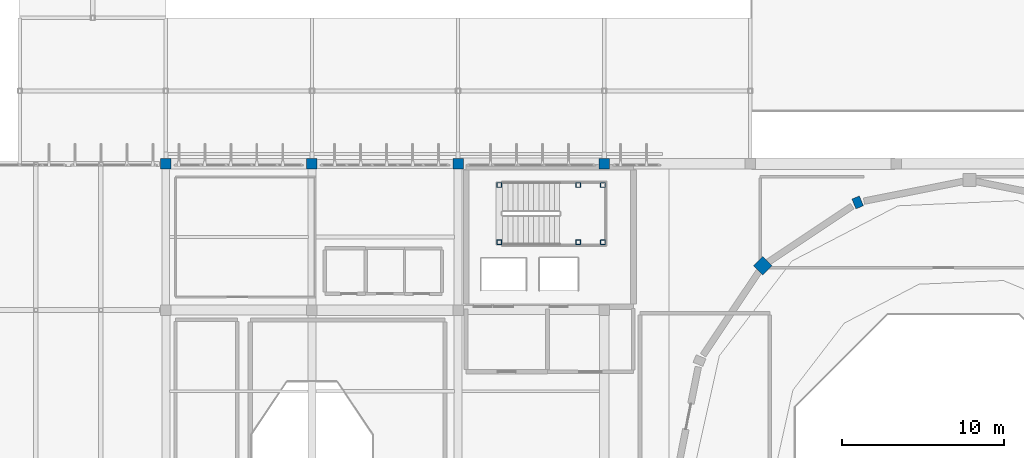
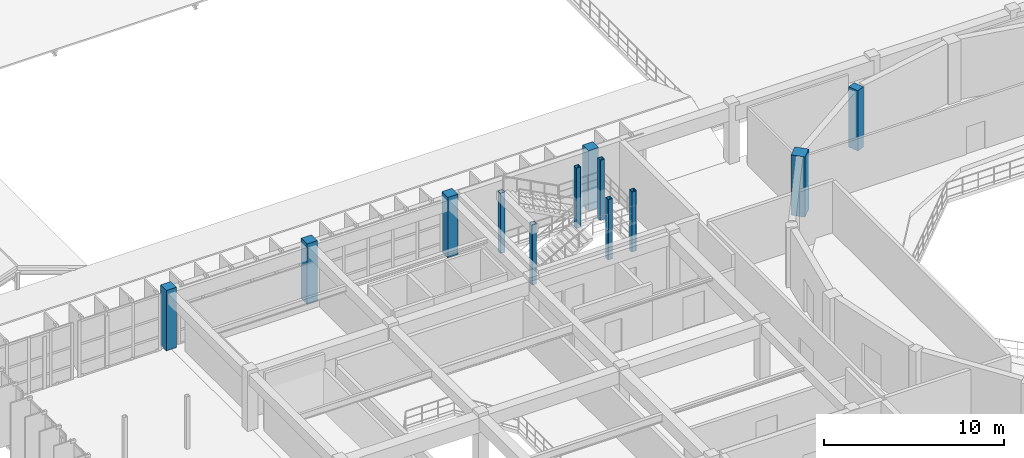
# One storey, part 4 of 80: 12 columns.
"""IFC4 building model written with IfcOpenShell, lengths in metres."""

from ifc_helpers import new_model, si_unit, direction, frame, origin, origin_2d, place, context, subcontext, project, spatial, rectangle, hollow_rectangle, extrude, material, material_profile, profile_set, type_object, element, save


model = new_model("IFC4")

# Units and contexts
model_context = context("Model", 3, precision=1e-05, world=origin(), true_north=direction((0.0, 1.0)))
body_context = subcontext(model_context, "Body", "Model", "MODEL_VIEW")
ifc_project = project(units=[si_unit("LENGTHUNIT", "METRE"), si_unit("AREAUNIT", "SQUARE_METRE"), si_unit("VOLUMEUNIT", "CUBIC_METRE"), si_unit("PLANEANGLEUNIT", "RADIAN"), si_unit("MASSUNIT", "GRAM", prefix="KILO")], contexts=[model_context])

# Site, building, storey
site_placement = place(None, origin())
site = spatial("IfcSite", under=ifc_project, at=site_placement, CompositionType="ELEMENT")
building_placement = place(site_placement, origin())
building = spatial("IfcBuilding", under=site, at=building_placement, Name="Miravela Opera House", CompositionType="ELEMENT")
storey_placement = place(building_placement, frame((0.0, 0.0, 17.679931640625)))
storey = spatial("IfcBuildingStorey", under=building, at=storey_placement, Name="L04", CompositionType="ELEMENT", Elevation=17.679931640625)

# Columns
ifc_material_1 = material(Name="Hollow structural steel ASTM A500 Gr. C", Category="steel")
ifc_material_profile_1 = material_profile(ifc_material_1, hollow_rectangle(XDim=0.300048828125, YDim=0.300048828125, WallThickness=0.01611328125, InnerFilletRadius=0.01611328125, OuterFilletRadius=0.031982421875, at=origin_2d()), Name="HSS300X300X16")
ifc_profile_set_1 = profile_set([ifc_material_profile_1])
column_type_1 = type_object("IfcColumnType", Name="STR-COL-HSS300", PredefinedType="COLUMN", material=ifc_profile_set_1)
for number, where, z_axis, x_axis, name in (
    (1, (47.5400390625, 70.179931640625, 0.0), (0.0, 0.0, 1.0), (1.0, 0.0, 0.0), "Stair K1 Landing Support Column 1 (L04)"),
    (2, (47.5400390625, 73.699951171875, 0.0), (0.0, 0.0, 1.0), (1.0, 0.0, 0.0), "Stair K1 Landing Support Column 2 (L04)"),
    (3, (52.39990234375, 70.179931640625, 0.0), (0.0, 0.0, 1.0), (1.0, 0.0, 0.0), "Stair K1 Landing Support Column 3 (L04)"),
    (4, (52.39990234375, 73.699951171875, 0.0), (0.0, 0.0, 1.0), (1.0, 0.0, 0.0), "Stair K1 Landing Support Column 4 (L04)"),
    (5, (53.919921875, 70.179931640625, 0.0), (0.0, 0.0, 1.0), (1.0, 0.0, 0.0), "Stair K1 Landing Support Column 5 (L04)"),
    (6, (53.919921875, 73.699951171875, 0.0), (0.0, 0.0, 1.0), (1.0, 0.0, 0.0), "Stair K1 Landing Support Column 6 (L04)"),
):
    element("IfcColumn", number, at=place(storey_placement, frame(where, z_axis=z_axis, x_axis=x_axis)), inside=storey, type_object=column_type_1, Name=name, PredefinedType="COLUMN", context=body_context, shape_type="SweptSolid", body=[
        extrude(hollow_rectangle(XDim=0.300048828125, YDim=0.300048828125, WallThickness=0.01611328125, InnerFilletRadius=0.01611328125, OuterFilletRadius=0.031982421875, at=origin_2d()), origin(), (0.0, 0.0, 1.0), 4.080078125),
    ])
ifc_material_2 = material(Name="Concrete C35/45", Category="concrete")
ifc_material_profile_2 = material_profile(ifc_material_2, rectangle(XDim=0.64990234375, YDim=0.64990234375, at=origin_2d()), Name="RC-COL-650X650")
ifc_profile_set_2 = profile_set([ifc_material_profile_2])
column_type_2 = type_object("IfcColumnType", Name="STR-COL-RC650", PredefinedType="COLUMN", material=ifc_profile_set_2)
for number, where, z_axis, x_axis, name in (
    (7, (27.0, 75.0, 0.0), (0.0, 0.0, 1.0), (1.0, 0.0, 0.0), "Column C-4I (L04)"),
    (8, (36.0, 75.0, 0.0), (0.0, 0.0, 1.0), (1.0, 0.0, 0.0), "Column C-5I (L04)"),
    (9, (45.0, 75.0, 0.0), (0.0, 0.0, 1.0), (1.0, 0.0, 0.0), "Column C-6I (L04)"),
    (10, (54.0, 75.0, 0.0), (0.0, 0.0, 1.0), (1.0, 0.0, 0.0), "Column C-7I (L04)"),
):
    element("IfcColumn", number, at=place(storey_placement, frame(where, z_axis=z_axis, x_axis=x_axis)), inside=storey, type_object=column_type_2, Name=name, PredefinedType="COLUMN", context=body_context, shape_type="SweptSolid", body=[
        extrude(rectangle(XDim=0.64990234375, YDim=0.64990234375, at=origin_2d()), origin(), (0.0, 0.0, 1.0), 4.080078125),
    ])
ifc_material_profile_3 = material_profile(ifc_material_2, rectangle(XDim=0.64990234375, YDim=0.5, at=origin_2d()), Name="RC-PIL-650X500")
ifc_profile_set_3 = profile_set([ifc_material_profile_3])
column_type_3 = type_object("IfcColumnType", Name="STR-PIL-RC650X500", PredefinedType="PILASTER", material=ifc_profile_set_3)
column_1_placement = place(storey_placement, frame((69.61181640625, 72.6298828125, 0.0), z_axis=(0.0, 0.0, 1.0), x_axis=(-0.382683432365, 0.923879532511, 0.0)))
element("IfcColumn", 11, at=column_1_placement, inside=storey, type_object=column_type_3, Name="Auditorium Drum Column DC-06 (L04)", PredefinedType="PILASTER", context=body_context, shape_type="SweptSolid", body=[
    extrude(rectangle(XDim=0.64990234375, YDim=0.5, at=origin_2d()), origin(), (0.0, 0.0, 1.0), 4.080078125),
])
ifc_material_3 = material(Name="Concrete C40/50", Category="concrete")
ifc_material_profile_4 = material_profile(ifc_material_3, rectangle(XDim=0.800048828125, YDim=0.800048828125, at=origin_2d()), Name="RC-COL-800X800")
ifc_profile_set_4 = profile_set([ifc_material_profile_4])
column_type_4 = type_object("IfcColumnType", Name="STR-PIL-RC800", PredefinedType="PILASTER", material=ifc_profile_set_4)
column_2_placement = place(storey_placement, frame((63.772216796875, 68.727783203125, 0.0), z_axis=(0.0, 0.0, 1.0), x_axis=(-0.707106781187, 0.707106781187, 0.0)))
element("IfcColumn", 12, at=column_2_placement, inside=storey, type_object=column_type_4, Name="Auditorium Drum Column DC-07 (L04)", PredefinedType="PILASTER", context=body_context, shape_type="SweptSolid", body=[
    extrude(rectangle(XDim=0.800048828125, YDim=0.800048828125, at=origin_2d()), origin(), (0.0, 0.0, 1.0), 4.080078125),
])

save(model, "model.ifc")
